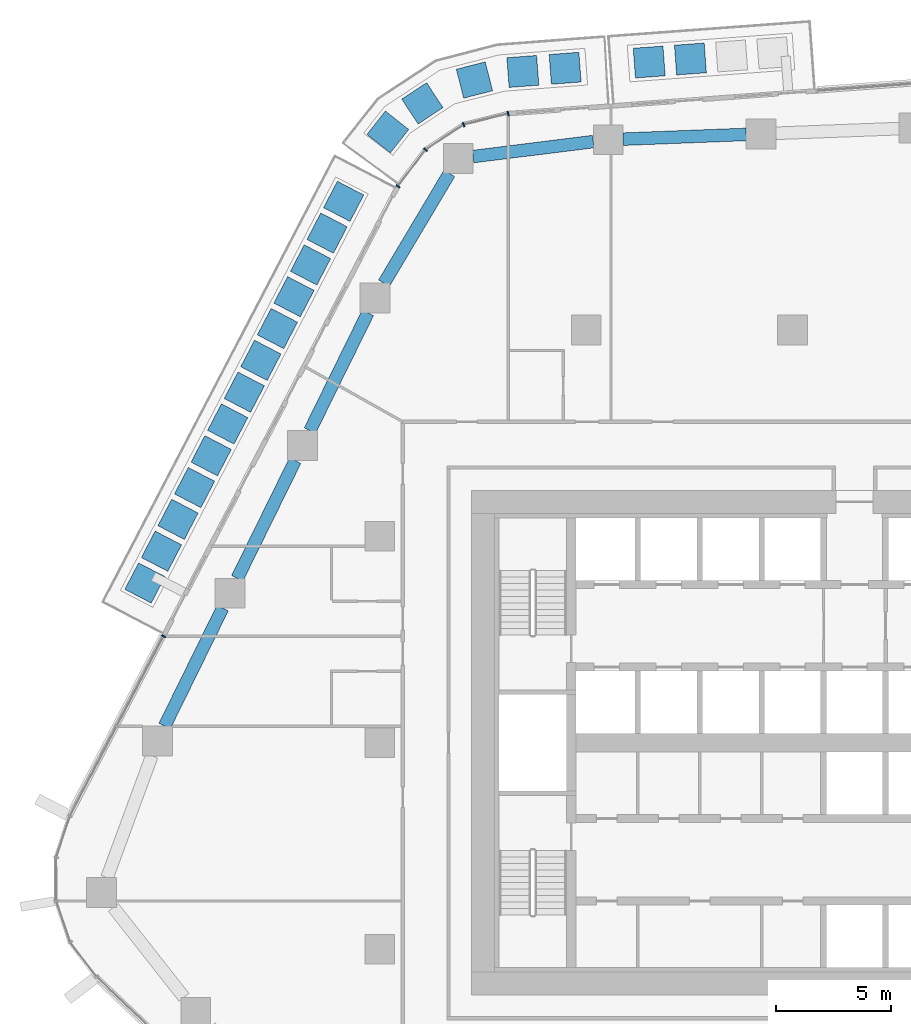
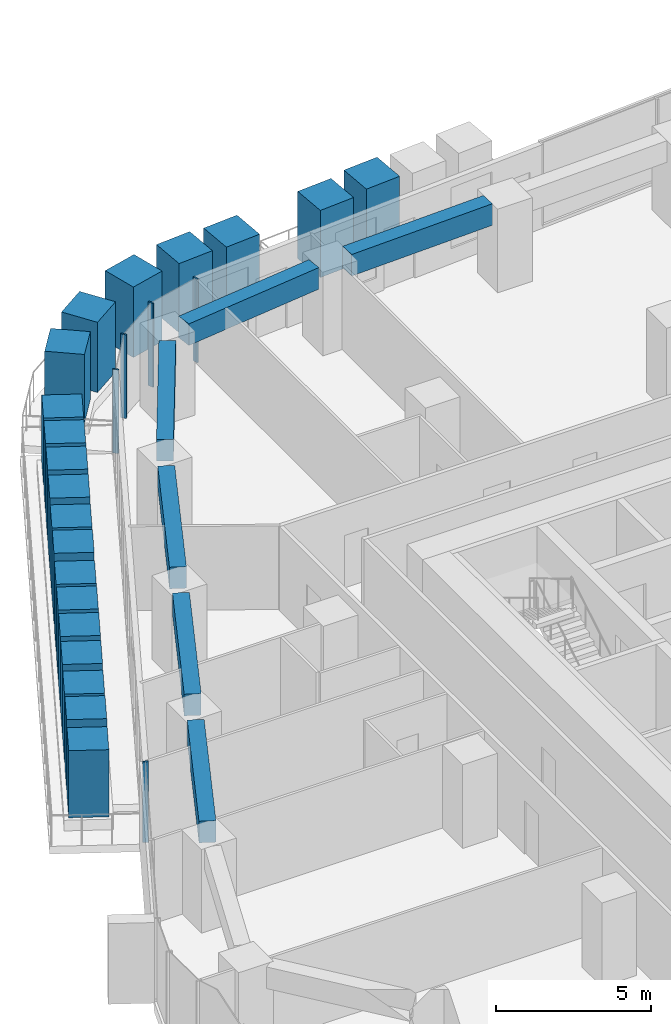
# One storey, part 6 of 23: 25 members, 6 beams, 2 elements without a shape of their own.
"""IFC4 building model written with IfcOpenShell, lengths in metres."""

from ifc_helpers import new_model, si_unit, direction, frame, origin, origin_2d, place, context, subcontext, project, spatial, rectangle, extrude, material, layer, layer_set, material_profile, profile_set, type_object, element, aggregate, save


model = new_model("IFC4")

# Units and contexts
model_context = context("Model", 3, precision=1e-05, world=origin(), true_north=direction((0.0, 1.0)))
body_context = subcontext(model_context, "Body", "Model", "MODEL_VIEW")
ifc_project = project(units=[si_unit("LENGTHUNIT", "METRE"), si_unit("AREAUNIT", "SQUARE_METRE"), si_unit("VOLUMEUNIT", "CUBIC_METRE"), si_unit("PLANEANGLEUNIT", "RADIAN"), si_unit("MASSUNIT", "GRAM", prefix="KILO")], contexts=[model_context])

# Site, building, storey
site_placement = place(None, origin())
site = spatial("IfcSite", under=ifc_project, at=site_placement, CompositionType="ELEMENT")
building_placement = place(site_placement, origin())
building = spatial("IfcBuilding", under=site, at=building_placement, Name="Dongbaek Canopy Tower", CompositionType="ELEMENT")
storey_placement = place(building_placement, frame((0.0, 0.0, 135.89990234375)))
storey = spatial("IfcBuildingStorey", under=building, at=storey_placement, Name="L30", CompositionType="ELEMENT", Elevation=135.89990234375)

# Curtain wall, members
ifc_material_1 = material(Name="Aluminium 6063-T6 pale anodised", Category="aluminium")
ifc_layer = layer(ifc_material_1, 0.199951171875)
ifc_layer_set = layer_set([ifc_layer], Name="CW-1 unitised tower curtain wall")
curtain_wall_type = type_object("IfcCurtainWallType", Name="CW-1 unitised tower curtain wall", PredefinedType="NOTDEFINED", material=ifc_layer_set)
curtain_wall_1_placement = place(storey_placement, origin())
curtain_wall_1 = element("IfcCurtainWall", 1, at=curtain_wall_1_placement, inside=storey, type_object=curtain_wall_type, Name="CW-1 curtain wall K2.1", PredefinedType="NOTDEFINED")
ifc_material_2 = material(Name="Aluminium 6063-T6 pale anodised", Category="aluminium")
ifc_material_profile_1 = material_profile(ifc_material_2, rectangle(XDim=0.199951171875, YDim=0.06005859375, at=origin_2d()), Name="CW-1 mullion 60 x 200")
ifc_profile_set_1 = profile_set([ifc_material_profile_1], Name="Aluminium 6063-T6 pale anodised")
member_type_1 = type_object("IfcMemberType", Name="CW-1 mullion 60 x 200", PredefinedType="MULLION", material=ifc_profile_set_1)
member_1_placement = place(storey_placement, frame((-12.398681640625, 27.426513671875, 0.0), z_axis=(0.0, 0.0, 1.0), x_axis=(-0.240708808634, 0.970597377622, 0.0)))
member_1 = element("IfcMember", 2, at=member_1_placement, type_object=member_type_1, Name="CW-1 mullion K2.1.1", PredefinedType="MULLION", context=body_context, shape_type="SweptSolid", body=[
    extrude(rectangle(XDim=0.199951171875, YDim=0.06005859375, at=origin_2d()), origin(), (0.0, 0.0, 1.0), 3.300048828125),
])
member_2_placement = place(storey_placement, frame((-14.338623046875, 26.945556640625, 0.0), z_axis=(0.0, 0.0, 1.0), x_axis=(-0.400998527183, 0.916078698146, 0.0)))
member_2 = element("IfcMember", 3, at=member_2_placement, type_object=member_type_1, Name="CW-1 mullion K2.1.2", PredefinedType="MULLION", context=body_context, shape_type="SweptSolid", body=[
    extrude(rectangle(XDim=0.199951171875, YDim=0.06005859375, at=origin_2d()), origin(), (0.0, 0.0, 1.0), 3.300048828125),
])
member_3_placement = place(storey_placement, frame((-16.0009765625, 25.851318359375, 0.0), z_axis=(0.0, 0.0, 1.0), x_axis=(-0.682828776923, 0.730578443021, 0.0)))
member_3 = element("IfcMember", 4, at=member_3_placement, type_object=member_type_1, Name="CW-1 mullion K2.1.3", PredefinedType="MULLION", context=body_context, shape_type="SweptSolid", body=[
    extrude(rectangle(XDim=0.199951171875, YDim=0.06005859375, at=origin_2d()), origin(), (0.0, 0.0, 1.0), 3.300048828125),
])
member_4_placement = place(storey_placement, frame((-17.210205078125, 24.259765625, 0.0), z_axis=(0.0, 0.0, 1.0), x_axis=(-0.796290621364, 0.604914247086, 0.0)))
member_4 = element("IfcMember", 5, at=member_4_placement, type_object=member_type_1, Name="CW-1 mullion K2.1.4", PredefinedType="MULLION", context=body_context, shape_type="SweptSolid", body=[
    extrude(rectangle(XDim=0.199951171875, YDim=0.06005859375, at=origin_2d()), origin(), (0.0, 0.0, 1.0), 3.300048828125),
])
aggregate(curtain_wall_1, [member_1, member_2, member_3, member_4])

# Curtain wall, member
curtain_wall_2_placement = place(storey_placement, origin())
curtain_wall_2 = element("IfcCurtainWall", 6, at=curtain_wall_2_placement, inside=storey, type_object=curtain_wall_type, Name="CW-1 curtain wall F2.1", PredefinedType="NOTDEFINED")
member_5_placement = place(storey_placement, frame((-27.42431640625, 4.64697265625, 0.1201171875), z_axis=(0.0, 0.0, 1.0), x_axis=(-0.886926731215, 0.461910135693, 0.0)))
member_5 = element("IfcMember", 7, at=member_5_placement, type_object=member_type_1, Name="CW-1 mullion F2.1.1", PredefinedType="MULLION", context=body_context, shape_type="SweptSolid", body=[
    extrude(rectangle(XDim=0.199951171875, YDim=0.06005859375, at=origin_2d()), origin(), (0.0, 0.0, 1.0), 3.179931640625),
])
aggregate(curtain_wall_2, [member_5])

# Beams
ifc_material_3 = material(Name="Concrete C80", Category="concrete")
ifc_material_profile_2 = material_profile(ifc_material_3, rectangle(XDim=0.550048828125, YDim=0.85009765625, at=origin_2d()), Name="RC EDGE BEAM 550x850 C80")
ifc_profile_set_2 = profile_set([ifc_material_profile_2], Name="Concrete C80")
beam_type = type_object("IfcBeamType", Name="RC EDGE BEAM 550x850 C80", PredefinedType="BEAM", material=ifc_profile_set_2)
beam_1_placement = place(storey_placement, frame((-27.373291015625, 0.73291015625, 2.875), z_axis=(0.441213203353, 0.89740231178, 0.0), x_axis=(-0.89740231178, 0.441213203353, 0.0)))
element("IfcBeam", 8, at=beam_1_placement, inside=storey, type_object=beam_type, Name="EDGEBEAM:L30:09", PredefinedType="BEAM", context=body_context, shape_type="SweptSolid", body=[
    extrude(rectangle(XDim=0.550048828125, YDim=0.85009765625, at=origin_2d()), origin(), (0.0, 0.0, 1.0), 5.72216796875),
])
beam_2_placement = place(storey_placement, frame((-24.209228515625, 7.16796875, 2.875), z_axis=(0.441418224378, 0.897301482885, 0.0), x_axis=(-0.897301482885, 0.441418224378, 0.0)))
element("IfcBeam", 9, at=beam_2_placement, inside=storey, type_object=beam_type, Name="EDGEBEAM:L30:10", PredefinedType="BEAM", context=body_context, shape_type="SweptSolid", body=[
    extrude(rectangle(XDim=0.550048828125, YDim=0.85009765625, at=origin_2d()), origin(), (0.0, 0.0, 1.0), 5.7216796875),
])
beam_3_placement = place(storey_placement, frame((-21.044189453125, 13.60205078125, 2.875), z_axis=(0.441383867887, 0.89731838339, 0.0), x_axis=(-0.89731838339, 0.441383867887, 0.0)))
element("IfcBeam", 10, at=beam_3_placement, inside=storey, type_object=beam_type, Name="EDGEBEAM:L30:11", PredefinedType="BEAM", context=body_context, shape_type="SweptSolid", body=[
    extrude(rectangle(XDim=0.550048828125, YDim=0.85009765625, at=origin_2d()), origin(), (0.0, 0.0, 1.0), 5.721435546875),
])
beam_4_placement = place(storey_placement, frame((-17.81201171875, 20.035888671875, 2.875), z_axis=(0.511514682827, 0.859274536602, 0.0), x_axis=(-0.859274536602, 0.511514682827, 0.0)))
element("IfcBeam", 11, at=beam_4_placement, inside=storey, type_object=beam_type, Name="EDGEBEAM:L30:12", PredefinedType="BEAM", context=body_context, shape_type="SweptSolid", body=[
    extrude(rectangle(XDim=0.550048828125, YDim=0.85009765625, at=origin_2d()), origin(), (0.0, 0.0, 1.0), 5.570068359375),
])
beam_5_placement = place(storey_placement, frame((-13.926025390625, 25.55322265625, 2.875), z_axis=(0.992297087152, 0.123880954265, 0.0), x_axis=(-0.123880954265, 0.992297087152, 0.0)))
element("IfcBeam", 12, at=beam_5_placement, inside=storey, type_object=beam_type, Name="EDGEBEAM:L30:13", PredefinedType="BEAM", context=body_context, shape_type="SweptSolid", body=[
    extrude(rectangle(XDim=0.550048828125, YDim=0.85009765625, at=origin_2d()), origin(), (0.0, 0.0, 1.0), 5.275634765625),
])
beam_6_placement = place(storey_placement, frame((-7.39111328125, 26.31298828125, 2.875), z_axis=(0.999264392696, 0.038349361015, 0.0), x_axis=(-0.038349361015, 0.999264392696, 0.0)))
element("IfcBeam", 13, at=beam_6_placement, inside=storey, type_object=beam_type, Name="EDGEBEAM:L30:14", PredefinedType="BEAM", context=body_context, shape_type="SweptSolid", body=[
    extrude(rectangle(XDim=0.550048828125, YDim=0.85009765625, at=origin_2d()), origin(), (0.0, 0.0, 1.0), 5.373046875),
])

# Members
ifc_material_4 = material(Name="Concrete C40/50 planter mass with planting", Category="concrete")
ifc_material_profile_3 = material_profile(ifc_material_4, rectangle(XDim=1.300048828125, YDim=1.300048828125, at=origin_2d()), Name="Terrace PLANTER shrub mass 1300 x 1300")
ifc_profile_set_3 = profile_set([ifc_material_profile_3], Name="Concrete C40/50 planter mass with planting")
member_type_2 = type_object("IfcMemberType", Name="Terrace PLANTER shrub mass 1300 x 1300", PredefinedType="USERDEFINED", material=ifc_profile_set_3)
member_6_placement = place(storey_placement, frame((-4.455810546875, 29.806884765625, 0.420166015625), z_axis=(0.0, 0.0, 1.0), x_axis=(-0.073519152761, 0.997293805344, 0.0)))
element("IfcMember", 14, at=member_6_placement, inside=storey, type_object=member_type_2, Name="Planter shrubs L30 1.3", ObjectType="PLANTER", PredefinedType="USERDEFINED", context=body_context, shape_type="SweptSolid", body=[
    extrude(rectangle(XDim=1.300048828125, YDim=1.300048828125, at=origin_2d()), origin(), (0.0, 0.0, 1.0), 2.780029296875),
])
for number, where, z_axis, x_axis, name in (
    (15, (-6.252197265625, 29.674560546875, 0.420166015625), (0.0, 0.0, 1.0), (-0.073519152761, 0.997293805344, 0.0), "Planter shrubs L30 1.4"),
    (16, (-9.916748046875, 29.40283203125, 0.420166015625), (0.0, 0.0, 1.0), (-0.075155999946, 0.997171788446, 0.0), "Planter shrubs L30 6.1"),
):
    element("IfcMember", number, at=place(storey_placement, frame(where, z_axis=z_axis, x_axis=x_axis)), inside=storey, type_object=member_type_2, Name=name, ObjectType="PLANTER", PredefinedType="USERDEFINED", context=body_context, shape_type="SweptSolid", body=[
        extrude(rectangle(XDim=1.300048828125, YDim=1.300048828125, at=origin_2d()), origin(), (0.0, 0.0, 1.0), 2.64990234375),
    ])
member_7_placement = place(storey_placement, frame((-11.759521484375, 29.263916015625, 0.420166015625), z_axis=(0.0, 0.0, 1.0), x_axis=(-0.075155999946, 0.997171788446, 0.0)))
element("IfcMember", 17, at=member_7_placement, inside=storey, type_object=member_type_2, Name="Planter shrubs L30 6.2", ObjectType="PLANTER", PredefinedType="USERDEFINED", context=body_context, shape_type="SweptSolid", body=[
    extrude(rectangle(XDim=1.300048828125, YDim=1.300048828125, at=origin_2d()), origin(), (0.0, 0.0, 1.0), 2.72998046875),
])
member_8_placement = place(storey_placement, frame((-13.868896484375, 28.890625, 0.420166015625), z_axis=(0.0, 0.0, 1.0), x_axis=(-0.247887054408, 0.968788938963, 0.0)))
element("IfcMember", 18, at=member_8_placement, inside=storey, type_object=member_type_2, Name="Planter shrubs L30 6.3", ObjectType="PLANTER", PredefinedType="USERDEFINED", context=body_context, shape_type="SweptSolid", body=[
    extrude(rectangle(XDim=1.300048828125, YDim=1.300048828125, at=origin_2d()), origin(), (0.0, 0.0, 1.0), 2.780029296875),
])
member_9_placement = place(storey_placement, frame((-16.140625, 27.873291015625, 0.420166015625), z_axis=(0.0, 0.0, 1.0), x_axis=(-0.549793590756, 0.835300549242, 0.0)))
element("IfcMember", 19, at=member_9_placement, inside=storey, type_object=member_type_2, Name="Planter shrubs L30 6.4", ObjectType="PLANTER", PredefinedType="USERDEFINED", context=body_context, shape_type="SweptSolid", body=[
    extrude(rectangle(XDim=1.300048828125, YDim=1.300048828125, at=origin_2d()), origin(), (0.0, 0.0, 1.0), 2.77001953125),
])
member_10_placement = place(storey_placement, frame((-17.64501953125, 26.626220703125, 0.420166015625), z_axis=(0.0, 0.0, 1.0), x_axis=(-0.785388328656, 0.619003370921, 0.0)))
element("IfcMember", 20, at=member_10_placement, inside=storey, type_object=member_type_2, Name="Planter shrubs L30 6.5", ObjectType="PLANTER", PredefinedType="USERDEFINED", context=body_context, shape_type="SweptSolid", body=[
    extrude(rectangle(XDim=1.300048828125, YDim=1.300048828125, at=origin_2d()), origin(), (0.0, 0.0, 1.0), 2.68994140625),
])
member_11_placement = place(storey_placement, frame((-19.570556640625, 23.6025390625, 0.420166015625), z_axis=(0.0, 0.0, 1.0), x_axis=(-0.886926731215, 0.461910135693, 0.0)))
element("IfcMember", 21, at=member_11_placement, inside=storey, type_object=member_type_2, Name="Planter shrubs L30 2.1", ObjectType="PLANTER", PredefinedType="USERDEFINED", context=body_context, shape_type="SweptSolid", body=[
    extrude(rectangle(XDim=1.300048828125, YDim=1.300048828125, at=origin_2d()), origin(), (0.0, 0.0, 1.0), 2.64990234375),
])
member_12_placement = place(storey_placement, frame((-20.292724609375, 22.216064453125, 0.420166015625), z_axis=(0.0, 0.0, 1.0), x_axis=(-0.886926731215, 0.461910135693, 0.0)))
element("IfcMember", 22, at=member_12_placement, inside=storey, type_object=member_type_2, Name="Planter shrubs L30 2.2", ObjectType="PLANTER", PredefinedType="USERDEFINED", context=body_context, shape_type="SweptSolid", body=[
    extrude(rectangle(XDim=1.300048828125, YDim=1.300048828125, at=origin_2d()), origin(), (0.0, 0.0, 1.0), 2.72998046875),
])
member_13_placement = place(storey_placement, frame((-21.0146484375, 20.82958984375, 0.420166015625), z_axis=(0.0, 0.0, 1.0), x_axis=(-0.886926731215, 0.461910135693, 0.0)))
element("IfcMember", 23, at=member_13_placement, inside=storey, type_object=member_type_2, Name="Planter shrubs L30 2.3", ObjectType="PLANTER", PredefinedType="USERDEFINED", context=body_context, shape_type="SweptSolid", body=[
    extrude(rectangle(XDim=1.300048828125, YDim=1.300048828125, at=origin_2d()), origin(), (0.0, 0.0, 1.0), 2.780029296875),
])
member_14_placement = place(storey_placement, frame((-21.73681640625, 19.443359375, 0.420166015625), z_axis=(0.0, 0.0, 1.0), x_axis=(-0.886926731215, 0.461910135693, 0.0)))
element("IfcMember", 24, at=member_14_placement, inside=storey, type_object=member_type_2, Name="Planter shrubs L30 2.4", ObjectType="PLANTER", PredefinedType="USERDEFINED", context=body_context, shape_type="SweptSolid", body=[
    extrude(rectangle(XDim=1.300048828125, YDim=1.300048828125, at=origin_2d()), origin(), (0.0, 0.0, 1.0), 2.77001953125),
])
member_15_placement = place(storey_placement, frame((-22.458740234375, 18.056884765625, 0.420166015625), z_axis=(0.0, 0.0, 1.0), x_axis=(-0.886926731215, 0.461910135693, 0.0)))
element("IfcMember", 25, at=member_15_placement, inside=storey, type_object=member_type_2, Name="Planter shrubs L30 2.5", ObjectType="PLANTER", PredefinedType="USERDEFINED", context=body_context, shape_type="SweptSolid", body=[
    extrude(rectangle(XDim=1.300048828125, YDim=1.300048828125, at=origin_2d()), origin(), (0.0, 0.0, 1.0), 2.68994140625),
])
member_16_placement = place(storey_placement, frame((-23.180908203125, 16.67041015625, 0.420166015625), z_axis=(0.0, 0.0, 1.0), x_axis=(-0.886926731215, 0.461910135693, 0.0)))
element("IfcMember", 26, at=member_16_placement, inside=storey, type_object=member_type_2, Name="Planter shrubs L30 2.6", ObjectType="PLANTER", PredefinedType="USERDEFINED", context=body_context, shape_type="SweptSolid", body=[
    extrude(rectangle(XDim=1.300048828125, YDim=1.300048828125, at=origin_2d()), origin(), (0.0, 0.0, 1.0), 2.780029296875),
])
member_17_placement = place(storey_placement, frame((-23.90283203125, 15.283935546875, 0.420166015625), z_axis=(0.0, 0.0, 1.0), x_axis=(-0.886926731215, 0.461910135693, 0.0)))
element("IfcMember", 27, at=member_17_placement, inside=storey, type_object=member_type_2, Name="Planter shrubs L30 2.7", ObjectType="PLANTER", PredefinedType="USERDEFINED", context=body_context, shape_type="SweptSolid", body=[
    extrude(rectangle(XDim=1.300048828125, YDim=1.300048828125, at=origin_2d()), origin(), (0.0, 0.0, 1.0), 2.64990234375),
])
member_18_placement = place(storey_placement, frame((-24.625, 13.8974609375, 0.420166015625), z_axis=(0.0, 0.0, 1.0), x_axis=(-0.886926731215, 0.461910135693, 0.0)))
element("IfcMember", 28, at=member_18_placement, inside=storey, type_object=member_type_2, Name="Planter shrubs L30 2.8", ObjectType="PLANTER", PredefinedType="USERDEFINED", context=body_context, shape_type="SweptSolid", body=[
    extrude(rectangle(XDim=1.300048828125, YDim=1.300048828125, at=origin_2d()), origin(), (0.0, 0.0, 1.0), 2.72998046875),
])
member_19_placement = place(storey_placement, frame((-25.346923828125, 12.510986328125, 0.420166015625), z_axis=(0.0, 0.0, 1.0), x_axis=(-0.886926731215, 0.461910135693, 0.0)))
element("IfcMember", 29, at=member_19_placement, inside=storey, type_object=member_type_2, Name="Planter shrubs L30 2.9", ObjectType="PLANTER", PredefinedType="USERDEFINED", context=body_context, shape_type="SweptSolid", body=[
    extrude(rectangle(XDim=1.300048828125, YDim=1.300048828125, at=origin_2d()), origin(), (0.0, 0.0, 1.0), 2.780029296875),
])
member_20_placement = place(storey_placement, frame((-26.069091796875, 11.12451171875, 0.420166015625), z_axis=(0.0, 0.0, 1.0), x_axis=(-0.886926731215, 0.461910135693, 0.0)))
element("IfcMember", 30, at=member_20_placement, inside=storey, type_object=member_type_2, Name="Planter shrubs L30 2.10", ObjectType="PLANTER", PredefinedType="USERDEFINED", context=body_context, shape_type="SweptSolid", body=[
    extrude(rectangle(XDim=1.300048828125, YDim=1.300048828125, at=origin_2d()), origin(), (0.0, 0.0, 1.0), 2.77001953125),
])
member_21_placement = place(storey_placement, frame((-26.791015625, 9.73828125, 0.420166015625), z_axis=(0.0, 0.0, 1.0), x_axis=(-0.886926731215, 0.461910135693, 0.0)))
element("IfcMember", 31, at=member_21_placement, inside=storey, type_object=member_type_2, Name="Planter shrubs L30 2.11", ObjectType="PLANTER", PredefinedType="USERDEFINED", context=body_context, shape_type="SweptSolid", body=[
    extrude(rectangle(XDim=1.300048828125, YDim=1.300048828125, at=origin_2d()), origin(), (0.0, 0.0, 1.0), 2.68994140625),
])
member_22_placement = place(storey_placement, frame((-27.51318359375, 8.351806640625, 0.420166015625), z_axis=(0.0, 0.0, 1.0), x_axis=(-0.886926731215, 0.461910135693, 0.0)))
element("IfcMember", 32, at=member_22_placement, inside=storey, type_object=member_type_2, Name="Planter shrubs L30 2.12", ObjectType="PLANTER", PredefinedType="USERDEFINED", context=body_context, shape_type="SweptSolid", body=[
    extrude(rectangle(XDim=1.300048828125, YDim=1.300048828125, at=origin_2d()), origin(), (0.0, 0.0, 1.0), 2.780029296875),
])
member_23_placement = place(storey_placement, frame((-28.235107421875, 6.96533203125, 0.420166015625), z_axis=(0.0, 0.0, 1.0), x_axis=(-0.886926731215, 0.461910135693, 0.0)))
element("IfcMember", 33, at=member_23_placement, inside=storey, type_object=member_type_2, Name="Planter shrubs L30 2.13", ObjectType="PLANTER", PredefinedType="USERDEFINED", context=body_context, shape_type="SweptSolid", body=[
    extrude(rectangle(XDim=1.300048828125, YDim=1.300048828125, at=origin_2d()), origin(), (0.0, 0.0, 1.0), 2.64990234375),
])

save(model, "model.ifc")
